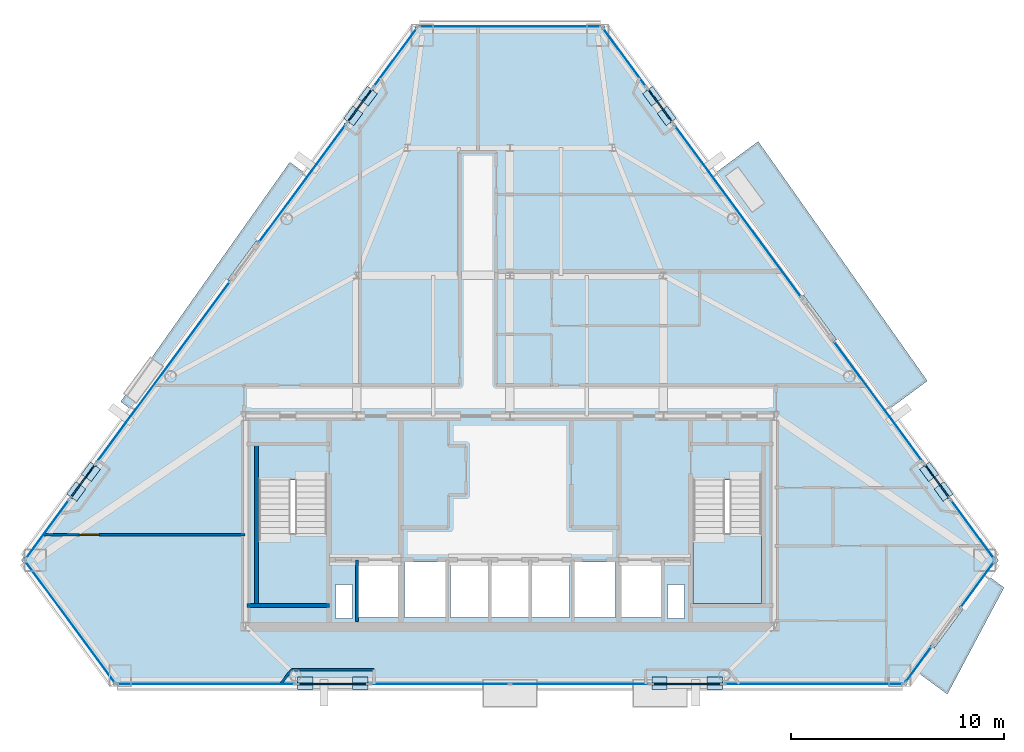
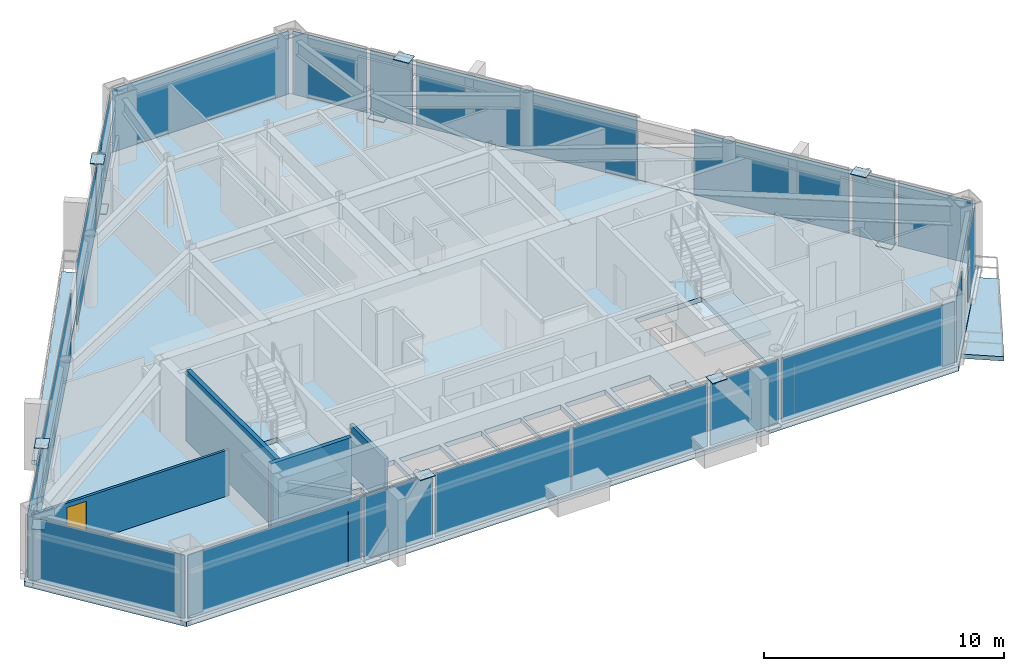
# One storey, part 6 of 11: 34 plates, 6 slabs, 6 walls, 1 door, 1 opening, 23 elements without a shape of their own.
"""IFC4 building model written with IfcOpenShell, lengths in metres."""

from ifc_helpers import new_model, si_unit, direction, frame, frame_2d, origin, origin_2d, place, context, subcontext, project, spatial, polyline, rectangle, outline, extrude, source, transform, mapped, material, layer, layer_set, type_object, type_shapes, element, fill, aggregate, save


model = new_model("IFC4")

# Units and contexts
model_context = context("Model", 3, precision=1e-05, world=origin(), true_north=direction((0.0, 1.0)))
body_context = subcontext(model_context, "Body", "Model", "MODEL_VIEW")
ifc_project = project(units=[si_unit("LENGTHUNIT", "METRE"), si_unit("AREAUNIT", "SQUARE_METRE"), si_unit("VOLUMEUNIT", "CUBIC_METRE"), si_unit("PLANEANGLEUNIT", "RADIAN"), si_unit("MASSUNIT", "GRAM", prefix="KILO")], contexts=[model_context])

# Site, building, storey
site_placement = place(None, origin())
site = spatial("IfcSite", under=ifc_project, at=site_placement, CompositionType="ELEMENT")
building_placement = place(site_placement, origin())
building = spatial("IfcBuilding", under=site, at=building_placement, Name="Talgorran Terracotta Tower", CompositionType="ELEMENT")
storey_placement = place(building_placement, frame((0.0, 0.0, 178.5)))
storey = spatial("IfcBuildingStorey", under=building, at=storey_placement, Name="L46", CompositionType="ELEMENT", Elevation=178.5)

# Plates
ifc_material_1 = material(Name="Steel Grade 350 (350L0)", Category="steel")
ifc_layer_1 = layer(ifc_material_1, 0.031982421875, Name="PL_CAP_MN07")
ifc_layer_set_1 = layer_set([ifc_layer_1], Name="Steel Grade 350 (350L0)")
plate_type_1 = type_object("IfcPlateType", Name="PL_CAP_MN07", PredefinedType="USERDEFINED", material=ifc_layer_set_1)
for number, where, z_axis, x_axis, name in (
    (1, (-9.61083984375, -16.74560546875, -0.005859375), (0.0, 0.0, 1.0), (1.0, 0.0, 0.0), "L46 Diagonal Frame End Cap SWF Bot"),
    (2, (-7.0234375, -16.74560546875, 3.32421875), (0.0, 0.0, 1.0), (1.0, 0.0, 0.0), "L46 Diagonal Frame End Cap SWF Top"),
    (3, (9.61083984375, -16.74560546875, -0.005859375), (0.0, 0.0, 1.0), (-1.0, 0.0, 0.0), "L46 Diagonal Frame End Cap SEF Bot"),
    (4, (7.023193359375, -16.74560546875, 3.32421875), (0.0, 0.0, 1.0), (-1.0, 0.0, 0.0), "L46 Diagonal Frame End Cap SEF Top"),
    (5, (20.36181640625, -7.743408203125, -0.005859375), (0.0, 0.0, 1.0), (-0.593559358034, 0.804790213963, 0.0), "L46 Diagonal Frame End Cap NEL Bot"),
    (6, (19.67919921875, -6.818115234375, 3.32421875), (0.0, 0.0, 1.0), (-0.593559358034, 0.804790213963, 0.0), "L46 Diagonal Frame End Cap NEL Top"),
    (7, (6.67529296875, 10.81689453125, -0.005859375), (0.0, 0.0, 1.0), (0.593559358034, -0.804790213963, 0.0), "L46 Diagonal Frame End Cap NEU Bot"),
    (8, (7.35791015625, 9.891357421875, 3.32421875), (0.0, 0.0, 1.0), (0.593559358034, -0.804790213963, 0.0), "L46 Diagonal Frame End Cap NEU Top"),
    (9, (-6.67529296875, 10.81689453125, -0.005859375), (0.0, 0.0, 1.0), (-0.593559358034, -0.804790213963, 0.0), "L46 Diagonal Frame End Cap NWU Bot"),
    (10, (-7.35791015625, 9.891357421875, 3.32421875), (0.0, 0.0, 1.0), (-0.593559358034, -0.804790213963, 0.0), "L46 Diagonal Frame End Cap NWU Top"),
    (11, (-20.36181640625, -7.743408203125, -0.005859375), (0.0, 0.0, 1.0), (0.593559358034, 0.804790213963, 0.0), "L46 Diagonal Frame End Cap NWL Bot"),
    (12, (-19.67919921875, -6.818115234375, 3.32421875), (0.0, 0.0, 1.0), (0.593559358034, 0.804790213963, 0.0), "L46 Diagonal Frame End Cap NWL Top"),
):
    element("IfcPlate", number, at=place(storey_placement, frame(where, z_axis=z_axis, x_axis=x_axis)), inside=storey, type_object=plate_type_1, Name=name, ObjectType="CAP PLATE", PredefinedType="USERDEFINED", context=body_context, shape_type="SweptSolid", body=[
        extrude(rectangle(XDim=0.719970703125, YDim=0.580078125, at=origin_2d()), origin(), (0.0, 0.0, 1.0), 0.031982421875),
    ])

# Slabs
ifc_material_2 = material(Name="Concrete C40/50", Category="concrete")
ifc_layer_2 = layer(ifc_material_2, 0.219970703125, Name="SL_BALCONY_220")
ifc_layer_set_2 = layer_set([ifc_layer_2], Name="Concrete C40/50")
slab_type_1 = type_object("IfcSlabType", Name="SL_BALCONY_220", PredefinedType="FLOOR", material=ifc_layer_set_2)
slab_1_placement = place(storey_placement, frame((0.0, 0.0, -0.219970703125)))
element("IfcSlab", 13, at=slab_1_placement, inside=storey, type_object=slab_type_1, Name="L46 Outdoor Wave Balcony BAL-NE", PredefinedType="FLOOR", context=body_context, shape_type="SweptSolid", body=[
    extrude(outline(polyline([(9.58642578125, 7.163818359375), (17.75439453125, -3.91259765625), (19.59521484375, -2.55517578125), (11.655029296875, 8.689208984375), (9.58642578125, 7.163818359375)])), origin(), (0.0, 0.0, 1.0), 0.219970703125),
])
slab_2_placement = place(storey_placement, frame((0.0, 0.0, -0.219970703125)))
element("IfcSlab", 14, at=slab_2_placement, inside=storey, type_object=slab_type_1, Name="L46 Outdoor Wave Balcony BAL-NW", PredefinedType="FLOOR", context=body_context, shape_type="SweptSolid", body=[
    extrude(outline(polyline([(-17.75439453125, -3.91259765625), (-9.58642578125, 7.163818359375), (-10.337158203125, 7.71728515625), (-18.27734375, -3.527099609375), (-17.75439453125, -3.91259765625)])), origin(), (0.0, 0.0, 1.0), 0.219970703125),
])
slab_3_placement = place(storey_placement, frame((0.0, 0.0, -0.219970703125)))
element("IfcSlab", 15, at=slab_3_placement, inside=storey, type_object=slab_type_1, Name="L46 Outdoor Wave Balcony BAL-SE", PredefinedType="FLOOR", context=body_context, shape_type="SweptSolid", body=[
    extrude(outline(polyline([(22.427001953125, -11.69140625), (19.1005859375, -16.202392578125), (20.53564453125, -17.260498046875), (23.19677734375, -12.259033203125), (22.427001953125, -11.69140625)])), origin(), (0.0, 0.0, 1.0), 0.219970703125),
])

# Stair, slab
stair_type = type_object("IfcStairType", Name="ST_FIRE_SCISSOR", PredefinedType="HALF_TURN_STAIR", material=ifc_material_2)
stair_1_placement = place(storey_placement, origin())
stair_1 = element("IfcStair", 16, at=stair_1_placement, inside=storey, type_object=stair_type, Name="L46 West Protected Fire Stair ST-01", PredefinedType="HALF_TURN_STAIR")
ifc_layer_3 = layer(ifc_material_2, 0.199951171875, Name="SL_LANDING_200")
ifc_layer_set_3 = layer_set([ifc_layer_3], Name="Concrete C40/50")
slab_type_2 = type_object("IfcSlabType", Name="SL_LANDING_200", PredefinedType="LANDING", material=ifc_layer_set_3)
slab_4_placement = place(storey_placement, frame((0.0, 0.0, 1.60009765625)))
slab_4 = element("IfcSlab", 17, at=slab_4_placement, type_object=slab_type_2, Name="ST-01 landing 1", PredefinedType="LANDING", context=body_context, shape_type="SweptSolid", body=[
    extrude(outline(polyline([(-11.800048828125, -9.719970703125), (-11.800048828125, -13.0), (-8.60009765625, -13.0), (-8.60009765625, -9.719970703125), (-11.800048828125, -9.719970703125)])), origin(), (0.0, 0.0, 1.0), 0.199951171875),
])
aggregate(stair_1, [slab_4])

stair_2_placement = place(storey_placement, origin())
stair_2 = element("IfcStair", 18, at=stair_2_placement, inside=storey, type_object=stair_type, Name="L46 East Protected Fire Stair ST-02", PredefinedType="HALF_TURN_STAIR")
slab_5_placement = place(storey_placement, frame((0.0, 0.0, 1.60009765625)))
slab_5 = element("IfcSlab", 19, at=slab_5_placement, type_object=slab_type_2, Name="ST-02 landing 1", PredefinedType="LANDING", context=body_context, shape_type="SweptSolid", body=[
    extrude(outline(polyline([(8.60009765625, -9.719970703125), (8.60009765625, -13.0), (11.800048828125, -13.0), (11.800048828125, -9.719970703125), (8.60009765625, -9.719970703125)])), origin(), (0.0, 0.0, 1.0), 0.199951171875),
])
aggregate(stair_2, [slab_5])

# Slab
ifc_layer_4 = layer(ifc_material_2, 0.25, Name="SL_TOWER_250")
ifc_layer_set_4 = layer_set([ifc_layer_4], Name="Concrete C40/50")
slab_type_3 = type_object("IfcSlabType", Name="SL_TOWER_250", PredefinedType="FLOOR", material=ifc_layer_set_4)
slab_6_placement = place(storey_placement, frame((0.0, 0.0, -0.25)))
element("IfcSlab", 20, at=slab_6_placement, inside=storey, type_object=slab_type_3, Name="Storey L46 Structural Floor Slab", PredefinedType="FLOOR", context=body_context, shape_type="SweptSolid", body=[
    extrude(outline(polyline([(-22.93994140625, -10.97021484375), (-18.563232421875, -16.905517578125), (18.563232421875, -16.905517578125), (22.93994140625, -10.97021484375), (4.376708984375, 14.20361328125), (-4.376708984375, 14.20361328125), (-22.93994140625, -10.97021484375)]), holes=[polyline([(-11.800048828125, -7.199951171875), (-11.800048828125, -13.0), (-8.60009765625, -13.0), (-8.60009765625, -7.199951171875), (-11.800048828125, -7.199951171875)]), polyline([(8.60009765625, -7.199951171875), (8.60009765625, -13.0), (11.800048828125, -13.0), (11.800048828125, -7.199951171875), (8.60009765625, -7.199951171875)]), polyline([(-7.10009765625, -13.64990234375), (-5.199951171875, -13.64990234375), (-5.199951171875, -11.050048828125), (-7.10009765625, -11.050048828125), (-7.10009765625, -13.64990234375)]), polyline([(5.199951171875, -13.64990234375), (7.10009765625, -13.64990234375), (7.10009765625, -11.050048828125), (5.199951171875, -11.050048828125), (5.199951171875, -13.64990234375)]), polyline([(3.0, -13.64990234375), (4.949951171875, -13.64990234375), (4.949951171875, -11.050048828125), (3.0, -11.050048828125), (3.0, -13.64990234375)]), polyline([(-4.949951171875, -13.64990234375), (-3.0, -13.64990234375), (-3.0, -11.050048828125), (-4.949951171875, -11.050048828125), (-4.949951171875, -13.64990234375)]), polyline([(-2.800048828125, -13.64990234375), (-1.0, -13.64990234375), (-1.0, -11.050048828125), (-2.800048828125, -11.050048828125), (-2.800048828125, -13.64990234375)]), polyline([(-0.89990234375, -13.64990234375), (0.89990234375, -13.64990234375), (0.89990234375, -11.050048828125), (-0.89990234375, -11.050048828125), (-0.89990234375, -13.64990234375)]), polyline([(1.0, -13.64990234375), (2.800048828125, -13.64990234375), (2.800048828125, -11.050048828125), (1.0, -11.050048828125), (1.0, -13.64990234375)]), polyline([(-8.199951171875, -13.699951171875), (-7.39990234375, -13.699951171875), (-7.39990234375, -12.10009765625), (-8.199951171875, -12.10009765625), (-8.199951171875, -13.699951171875)]), polyline([(7.39990234375, -13.699951171875), (8.199951171875, -13.699951171875), (8.199951171875, -12.10009765625), (7.39990234375, -12.10009765625), (7.39990234375, -13.699951171875)])]), origin(), (0.0, 0.0, 1.0), 0.25),
])

# Curtain wall, plate
ifc_material_3 = material(Name="High-Wind Unitised Glazing", Category="glass")
ifc_layer_5 = layer(ifc_material_3, 0.2099609375, Name="CW_SYS3_RES_HIGH")
ifc_layer_set_5 = layer_set([ifc_layer_5], Name="High-Wind Unitised Glazing")
curtain_wall_type = type_object("IfcCurtainWallType", Name="CW_SYS3_RES_HIGH", PredefinedType="NOTDEFINED", material=ifc_layer_set_5)
curtain_wall_1_placement = place(storey_placement, origin())
curtain_wall_1 = element("IfcCurtainWall", 21, at=curtain_wall_1_placement, inside=storey, type_object=curtain_wall_type, Name="CW-L46-F0", PredefinedType="NOTDEFINED")
ifc_material_4 = material(Name="High-Wind Acoustic Vision Glass", Category="glass")
ifc_layer_6 = layer(ifc_material_4, 0.031982421875, Name="PLT_VISION_32")
ifc_layer_set_6 = layer_set([ifc_layer_6], Name="High-Wind Acoustic Vision Glass")
plate_type_2 = type_object("IfcPlateType", Name="PLT_VISION_32", PredefinedType="CURTAIN_PANEL", material=ifc_layer_set_6)
shared_shape_1 = source(origin(), body_context, "Body", "SweptSolid", [
    extrude(rectangle(XDim=7.08544921875, YDim=0.031982421875, at=origin_2d()), origin(), (0.0, 0.0, 1.0), 3.2099609375),
])
plate_1_placement = place(storey_placement, frame((-20.646728515625, -13.8779296875, 0.070068359375), z_axis=(0.0, 0.0, 1.0), x_axis=(0.593489814714, -0.804841499819, 0.0)))
plate_1 = element("IfcPlate", 22, at=plate_1_placement, type_object=plate_type_2, Name="CW-L46-0 panel 1.1", PredefinedType="CURTAIN_PANEL", context=body_context, shape_type="MappedRepresentation", body=[
    mapped(shared_shape_1, transform((0.0, 0.0, 0.0), scale=1.0)),
])
aggregate(curtain_wall_1, [plate_1])

curtain_wall_2_placement = place(storey_placement, origin())
curtain_wall_2 = element("IfcCurtainWall", 23, at=curtain_wall_2_placement, inside=storey, type_object=curtain_wall_type, Name="CW-L46-F1", PredefinedType="NOTDEFINED")
shared_shape_2 = source(origin(), body_context, "Body", "SweptSolid", [
    extrude(rectangle(XDim=8.334228515625, YDim=0.031982421875, at=origin_2d()), origin(), (0.0, 0.0, 1.0), 3.2099609375),
])
plate_2_placement = place(storey_placement, frame((-14.265625, -16.78564453125, 0.070068359375), z_axis=(0.0, 0.0, 1.0), x_axis=(1.0, 0.0, 0.0)))
plate_2 = element("IfcPlate", 24, at=plate_2_placement, type_object=plate_type_2, Name="CW-L46-1 panel 1.1", PredefinedType="CURTAIN_PANEL", context=body_context, shape_type="MappedRepresentation", body=[
    mapped(shared_shape_2, transform((0.0, 0.0, 0.0), scale=1.0)),
])
aggregate(curtain_wall_2, [plate_2])

curtain_wall_3_placement = place(storey_placement, origin())
curtain_wall_3 = element("IfcCurtainWall", 25, at=curtain_wall_3_placement, inside=storey, type_object=curtain_wall_type, Name="CW-L46-F1E", PredefinedType="NOTDEFINED")
plate_3_placement = place(storey_placement, frame((14.265625, -16.78564453125, 0.070068359375), z_axis=(0.0, 0.0, 1.0), x_axis=(1.0, 0.0, 0.0)))
plate_3 = element("IfcPlate", 26, at=plate_3_placement, type_object=plate_type_2, Name="CW-L46-1E panel 1.1", PredefinedType="CURTAIN_PANEL", context=body_context, shape_type="MappedRepresentation", body=[
    mapped(shared_shape_2, transform((0.0, 0.0, 0.0), scale=1.0)),
])
aggregate(curtain_wall_3, [plate_3])

curtain_wall_4_placement = place(storey_placement, origin())
curtain_wall_4 = element("IfcCurtainWall", 27, at=curtain_wall_4_placement, inside=storey, type_object=curtain_wall_type, Name="CW-L46-F1B", PredefinedType="NOTDEFINED")
ifc_material_5 = material(Name="Terracotta Insulated Spandrel", Category="masonry")
ifc_layer_7 = layer(ifc_material_5, 0.06494140625, Name="PLT_SPANDREL_TERRA")
ifc_layer_set_7 = layer_set([ifc_layer_7], Name="Terracotta Insulated Spandrel")
plate_type_3 = type_object("IfcPlateType", Name="PLT_SPANDREL_TERRA", PredefinedType="SHEET", material=ifc_layer_set_7)
shared_shape_3 = source(origin(), body_context, "Body", "SweptSolid", [
    extrude(rectangle(XDim=3.2626953125, YDim=0.06494140625, at=origin_2d()), origin(), (0.0, 0.0, 1.0), 3.2099609375),
])
plate_4_placement = place(storey_placement, frame((-8.317138671875, -16.78564453125, 0.070068359375), z_axis=(0.0, 0.0, 1.0), x_axis=(1.0, 0.0, 0.0)))
plate_4 = element("IfcPlate", 28, at=plate_4_placement, type_object=plate_type_3, Name="CW-L46-1B panel 1.1", PredefinedType="CURTAIN_PANEL", context=body_context, shape_type="MappedRepresentation", body=[
    mapped(shared_shape_3, transform((0.0, 0.0, 0.0), scale=1.0)),
])
aggregate(curtain_wall_4, [plate_4])

curtain_wall_5_placement = place(storey_placement, origin())
curtain_wall_5 = element("IfcCurtainWall", 29, at=curtain_wall_5_placement, inside=storey, type_object=curtain_wall_type, Name="CW-L46-F1D", PredefinedType="NOTDEFINED")
plate_5_placement = place(storey_placement, frame((8.317138671875, -16.78564453125, 0.070068359375), z_axis=(0.0, 0.0, 1.0), x_axis=(1.0, 0.0, 0.0)))
plate_5 = element("IfcPlate", 30, at=plate_5_placement, type_object=plate_type_3, Name="CW-L46-1D panel 1.1", PredefinedType="CURTAIN_PANEL", context=body_context, shape_type="MappedRepresentation", body=[
    mapped(shared_shape_3, transform((0.0, 0.0, 0.0), scale=1.0)),
])
aggregate(curtain_wall_5, [plate_5])

# Curtain wall, plates
curtain_wall_6_placement = place(storey_placement, origin())
curtain_wall_6 = element("IfcCurtainWall", 31, at=curtain_wall_6_placement, inside=storey, type_object=curtain_wall_type, Name="CW-L46-F1C", PredefinedType="NOTDEFINED")
shared_shape_4 = source(origin(), body_context, "Body", "SweptSolid", [
    extrude(rectangle(XDim=6.500732421875, YDim=0.031982421875, at=origin_2d()), origin(), (0.0, 0.0, 1.0), 3.2099609375),
])
plate_6_placement = place(storey_placement, frame((-3.285400390625, -16.78564453125, 0.070068359375), z_axis=(0.0, 0.0, 1.0), x_axis=(1.0, 0.0, 0.0)))
plate_6 = element("IfcPlate", 32, at=plate_6_placement, type_object=plate_type_2, Name="CW-L46-1C panel 1.1", PredefinedType="CURTAIN_PANEL", context=body_context, shape_type="MappedRepresentation", body=[
    mapped(shared_shape_4, transform((0.0, 0.0, 0.0), scale=1.0)),
])
plate_7_placement = place(storey_placement, frame((3.285400390625, -16.78564453125, 0.070068359375), z_axis=(0.0, 0.0, 1.0), x_axis=(1.0, 0.0, 0.0)))
plate_7 = element("IfcPlate", 33, at=plate_7_placement, type_object=plate_type_2, Name="CW-L46-1C panel 2.1", PredefinedType="CURTAIN_PANEL", context=body_context, shape_type="MappedRepresentation", body=[
    mapped(shared_shape_4, transform((0.0, 0.0, 0.0), scale=1.0)),
])
aggregate(curtain_wall_6, [plate_6, plate_7])

# Curtain wall, plate
curtain_wall_7_placement = place(storey_placement, origin())
curtain_wall_7 = element("IfcCurtainWall", 34, at=curtain_wall_7_placement, inside=storey, type_object=curtain_wall_type, Name="CW-L46-F30", PredefinedType="NOTDEFINED")
shared_shape_5 = source(origin(), body_context, "Body", "SweptSolid", [
    extrude(rectangle(XDim=2.06982421875, YDim=0.031982421875, at=origin_2d()), origin(), (0.0, 0.0, 1.0), 3.2099609375),
])
plate_8_placement = place(storey_placement, frame((19.18212890625, -15.864013671875, 0.070068359375), z_axis=(0.0, 0.0, 1.0), x_axis=(0.593507706332, 0.804828306239, 0.0)))
plate_8 = element("IfcPlate", 35, at=plate_8_placement, type_object=plate_type_2, Name="CW-L46-30 panel 1.1", PredefinedType="CURTAIN_PANEL", context=body_context, shape_type="MappedRepresentation", body=[
    mapped(shared_shape_5, transform((0.0, 0.0, 0.0), scale=1.0)),
])
aggregate(curtain_wall_7, [plate_8])

curtain_wall_8_placement = place(storey_placement, origin())
curtain_wall_8 = element("IfcCurtainWall", 36, at=curtain_wall_8_placement, inside=storey, type_object=curtain_wall_type, Name="CW-L46-F31", PredefinedType="NOTDEFINED")
shared_shape_6 = source(origin(), body_context, "Body", "SweptSolid", [
    extrude(rectangle(XDim=2.635498046875, YDim=0.031982421875, at=origin_2d()), origin(), (0.0, 0.0, 1.0), 3.2099609375),
])
plate_9_placement = place(storey_placement, frame((21.943603515625, -12.119384765625, 0.070068359375), z_axis=(0.0, 0.0, 1.0), x_axis=(0.593512390712, 0.804824851798, 0.0)))
plate_9 = element("IfcPlate", 37, at=plate_9_placement, type_object=plate_type_2, Name="CW-L46-31 panel 1.1", PredefinedType="CURTAIN_PANEL", context=body_context, shape_type="MappedRepresentation", body=[
    mapped(shared_shape_6, transform((0.0, 0.0, 0.0), scale=1.0)),
])
aggregate(curtain_wall_8, [plate_9])

curtain_wall_9_placement = place(storey_placement, origin())
curtain_wall_9 = element("IfcCurtainWall", 38, at=curtain_wall_9_placement, inside=storey, type_object=curtain_wall_type, Name="CW-L46-F40", PredefinedType="NOTDEFINED")
shared_shape_7 = source(origin(), body_context, "Body", "SweptSolid", [
    extrude(rectangle(XDim=3.39111328125, YDim=0.031982421875, at=origin_2d()), origin(), (0.0, 0.0, 1.0), 3.2099609375),
])
plate_10_placement = place(storey_placement, frame((21.71923828125, -9.51708984375, 0.070068359375), z_axis=(0.0, 0.0, 1.0), x_axis=(-0.59349170144, 0.804840108545, 0.0)))
plate_10 = element("IfcPlate", 39, at=plate_10_placement, type_object=plate_type_2, Name="CW-L46-40 panel 1.1", PredefinedType="CURTAIN_PANEL", context=body_context, shape_type="MappedRepresentation", body=[
    mapped(shared_shape_7, transform((0.0, 0.0, 0.0), scale=1.0)),
])
aggregate(curtain_wall_9, [plate_10])

curtain_wall_10_placement = place(storey_placement, origin())
curtain_wall_10 = element("IfcCurtainWall", 40, at=curtain_wall_10_placement, inside=storey, type_object=curtain_wall_type, Name="CW-L46-F61C", PredefinedType="NOTDEFINED")
plate_11_placement = place(storey_placement, frame((-21.71923828125, -9.51708984375, 0.070068359375), z_axis=(0.0, 0.0, 1.0), x_axis=(-0.59349170144, -0.804840108545, 0.0)))
plate_11 = element("IfcPlate", 41, at=plate_11_placement, type_object=plate_type_2, Name="CW-L46-61C panel 1.1", PredefinedType="CURTAIN_PANEL", context=body_context, shape_type="MappedRepresentation", body=[
    mapped(shared_shape_7, transform((0.0, 0.0, 0.0), scale=1.0)),
])
aggregate(curtain_wall_10, [plate_11])

curtain_wall_11_placement = place(storey_placement, origin())
curtain_wall_11 = element("IfcCurtainWall", 42, at=curtain_wall_11_placement, inside=storey, type_object=curtain_wall_type, Name="CW-L46-F40B", PredefinedType="NOTDEFINED")
shared_shape_8 = source(origin(), body_context, "Body", "SweptSolid", [
    extrude(rectangle(XDim=1.925048828125, YDim=0.06494140625, at=origin_2d()), origin(), (0.0, 0.0, 1.0), 3.2099609375),
])
plate_12_placement = place(storey_placement, frame((20.052734375, -7.257080078125, 0.070068359375), z_axis=(0.0, 0.0, 1.0), x_axis=(-0.593511173341, 0.804825749538, 0.0)))
plate_12 = element("IfcPlate", 43, at=plate_12_placement, type_object=plate_type_3, Name="CW-L46-40B panel 1.1", PredefinedType="CURTAIN_PANEL", context=body_context, shape_type="MappedRepresentation", body=[
    mapped(shared_shape_8, transform((0.0, 0.0, 0.0), scale=1.0)),
])
aggregate(curtain_wall_11, [plate_12])

curtain_wall_12_placement = place(storey_placement, origin())
curtain_wall_12 = element("IfcCurtainWall", 44, at=curtain_wall_12_placement, inside=storey, type_object=curtain_wall_type, Name="CW-L46-F41B", PredefinedType="NOTDEFINED")
plate_13_placement = place(storey_placement, frame((7.048828125, 10.377685546875, 0.070068359375), z_axis=(0.0, 0.0, 1.0), x_axis=(-0.593511173341, 0.804825749538, 0.0)))
plate_13 = element("IfcPlate", 45, at=plate_13_placement, type_object=plate_type_3, Name="CW-L46-41B panel 1.1", PredefinedType="CURTAIN_PANEL", context=body_context, shape_type="MappedRepresentation", body=[
    mapped(shared_shape_8, transform((0.0, 0.0, 0.0), scale=1.0)),
])
aggregate(curtain_wall_12, [plate_13])

curtain_wall_13_placement = place(storey_placement, origin())
curtain_wall_13 = element("IfcCurtainWall", 46, at=curtain_wall_13_placement, inside=storey, type_object=curtain_wall_type, Name="CW-L46-F40C", PredefinedType="NOTDEFINED")
shared_shape_9 = source(origin(), body_context, "Body", "SweptSolid", [
    extrude(rectangle(XDim=7.03759765625, YDim=0.031982421875, at=origin_2d()), origin(), (0.0, 0.0, 1.0), 3.2099609375),
])
plate_14_placement = place(storey_placement, frame((17.30419921875, -3.529541015625, 0.070068359375), z_axis=(0.0, 0.0, 1.0), x_axis=(-0.593495556901, 0.804837265501, 0.0)))
plate_14 = element("IfcPlate", 47, at=plate_14_placement, type_object=plate_type_2, Name="CW-L46-40C panel 1.1", PredefinedType="CURTAIN_PANEL", context=body_context, shape_type="MappedRepresentation", body=[
    mapped(shared_shape_9, transform((0.0, 0.0, 0.0), scale=1.0)),
])
aggregate(curtain_wall_13, [plate_14])

curtain_wall_14_placement = place(storey_placement, origin())
curtain_wall_14 = element("IfcCurtainWall", 48, at=curtain_wall_14_placement, inside=storey, type_object=curtain_wall_type, Name="CW-L46-F41", PredefinedType="NOTDEFINED")
shared_shape_10 = source(origin(), body_context, "Body", "SweptSolid", [
    extrude(rectangle(XDim=10.04833984375, YDim=0.031982421875, at=origin_2d()), origin(), (0.0, 0.0, 1.0), 3.2099609375),
])
plate_15_placement = place(storey_placement, frame((10.69091796875, 5.438720703125, 0.070068359375), z_axis=(0.0, 0.0, 1.0), x_axis=(-0.593491285336, 0.804840415381, 0.0)))
plate_15 = element("IfcPlate", 49, at=plate_15_placement, type_object=plate_type_2, Name="CW-L46-41 panel 1.1", PredefinedType="CURTAIN_PANEL", context=body_context, shape_type="MappedRepresentation", body=[
    mapped(shared_shape_10, transform((0.0, 0.0, 0.0), scale=1.0)),
])
aggregate(curtain_wall_14, [plate_15])

curtain_wall_15_placement = place(storey_placement, origin())
curtain_wall_15 = element("IfcCurtainWall", 50, at=curtain_wall_15_placement, inside=storey, type_object=curtain_wall_type, Name="CW-L46-F41C", PredefinedType="NOTDEFINED")
shared_shape_11 = source(origin(), body_context, "Body", "SweptSolid", [
    extrude(rectangle(XDim=3.3818359375, YDim=0.031982421875, at=origin_2d()), origin(), (0.0, 0.0, 1.0), 3.2099609375),
])
plate_16_placement = place(storey_placement, frame((5.385009765625, 12.634033203125, 0.070068359375), z_axis=(0.0, 0.0, 1.0), x_axis=(-0.593497315718, 0.804835968528, 0.0)))
plate_16 = element("IfcPlate", 51, at=plate_16_placement, type_object=plate_type_2, Name="CW-L46-41C panel 1.1", PredefinedType="CURTAIN_PANEL", context=body_context, shape_type="MappedRepresentation", body=[
    mapped(shared_shape_11, transform((0.0, 0.0, 0.0), scale=1.0)),
])
aggregate(curtain_wall_15, [plate_16])

curtain_wall_16_placement = place(storey_placement, origin())
curtain_wall_16 = element("IfcCurtainWall", 52, at=curtain_wall_16_placement, inside=storey, type_object=curtain_wall_type, Name="CW-L46-F60", PredefinedType="NOTDEFINED")
plate_17_placement = place(storey_placement, frame((-5.385009765625, 12.634033203125, 0.070068359375), z_axis=(0.0, 0.0, 1.0), x_axis=(-0.593497315718, -0.804835968528, 0.0)))
plate_17 = element("IfcPlate", 53, at=plate_17_placement, type_object=plate_type_2, Name="CW-L46-60 panel 1.1", PredefinedType="CURTAIN_PANEL", context=body_context, shape_type="MappedRepresentation", body=[
    mapped(shared_shape_11, transform((0.0, 0.0, 0.0), scale=1.0)),
])
aggregate(curtain_wall_16, [plate_17])

curtain_wall_17_placement = place(storey_placement, origin())
curtain_wall_17 = element("IfcCurtainWall", 54, at=curtain_wall_17_placement, inside=storey, type_object=curtain_wall_type, Name="CW-L46-F4", PredefinedType="NOTDEFINED")
shared_shape_12 = source(origin(), body_context, "Body", "SweptSolid", [
    extrude(rectangle(XDim=8.4921875, YDim=0.031982421875, at=origin_2d()), origin(), (0.0, 0.0, 1.0), 3.2099609375),
])
plate_18_placement = place(storey_placement, frame((0.0, 14.08349609375, 0.070068359375), z_axis=(0.0, 0.0, 1.0), x_axis=(-1.0, 0.0, 0.0)))
plate_18 = element("IfcPlate", 55, at=plate_18_placement, type_object=plate_type_2, Name="CW-L46-4 panel 1.1", PredefinedType="CURTAIN_PANEL", context=body_context, shape_type="MappedRepresentation", body=[
    mapped(shared_shape_12, transform((0.0, 0.0, 0.0), scale=1.0)),
])
aggregate(curtain_wall_17, [plate_18])

curtain_wall_18_placement = place(storey_placement, origin())
curtain_wall_18 = element("IfcCurtainWall", 56, at=curtain_wall_18_placement, inside=storey, type_object=curtain_wall_type, Name="CW-L46-F60B", PredefinedType="NOTDEFINED")
shared_shape_13 = source(origin(), body_context, "Body", "SweptSolid", [
    extrude(rectangle(XDim=1.92529296875, YDim=0.06494140625, at=origin_2d()), origin(), (0.0, 0.0, 1.0), 3.2099609375),
])
type_shapes(plate_type_3, [shared_shape_3, shared_shape_8, shared_shape_13])
plate_19_placement = place(storey_placement, frame((-7.048828125, 10.377685546875, 0.070068359375), z_axis=(0.0, 0.0, 1.0), x_axis=(-0.593488044001, -0.804842805539, 0.0)))
plate_19 = element("IfcPlate", 57, at=plate_19_placement, type_object=plate_type_3, Name="CW-L46-60B panel 1.1", PredefinedType="CURTAIN_PANEL", context=body_context, shape_type="MappedRepresentation", body=[
    mapped(shared_shape_13, transform((0.0, 0.0, 0.0), scale=1.0)),
])
aggregate(curtain_wall_18, [plate_19])

curtain_wall_19_placement = place(storey_placement, origin())
curtain_wall_19 = element("IfcCurtainWall", 58, at=curtain_wall_19_placement, inside=storey, type_object=curtain_wall_type, Name="CW-L46-F61B", PredefinedType="NOTDEFINED")
plate_20_placement = place(storey_placement, frame((-20.052734375, -7.257080078125, 0.070068359375), z_axis=(0.0, 0.0, 1.0), x_axis=(-0.593488044001, -0.804842805539, 0.0)))
plate_20 = element("IfcPlate", 59, at=plate_20_placement, type_object=plate_type_3, Name="CW-L46-61B panel 1.1", PredefinedType="CURTAIN_PANEL", context=body_context, shape_type="MappedRepresentation", body=[
    mapped(shared_shape_13, transform((0.0, 0.0, 0.0), scale=1.0)),
])
aggregate(curtain_wall_19, [plate_20])

curtain_wall_20_placement = place(storey_placement, origin())
curtain_wall_20 = element("IfcCurtainWall", 60, at=curtain_wall_20_placement, inside=storey, type_object=curtain_wall_type, Name="CW-L46-F60C", PredefinedType="NOTDEFINED")
shared_shape_14 = source(origin(), body_context, "Body", "SweptSolid", [
    extrude(rectangle(XDim=6.857666015625, YDim=0.031982421875, at=origin_2d()), origin(), (0.0, 0.0, 1.0), 3.2099609375),
])
plate_21_placement = place(storey_placement, frame((-9.744140625, 6.72265625, 0.070068359375), z_axis=(0.0, 0.0, 1.0), x_axis=(-0.593495864096, -0.804837038972, 0.0)))
plate_21 = element("IfcPlate", 61, at=plate_21_placement, type_object=plate_type_2, Name="CW-L46-60C panel 1.1", PredefinedType="CURTAIN_PANEL", context=body_context, shape_type="MappedRepresentation", body=[
    mapped(shared_shape_14, transform((0.0, 0.0, 0.0), scale=1.0)),
])
aggregate(curtain_wall_20, [plate_21])

curtain_wall_21_placement = place(storey_placement, origin())
curtain_wall_21 = element("IfcCurtainWall", 62, at=curtain_wall_21_placement, inside=storey, type_object=curtain_wall_type, Name="CW-L46-F61", PredefinedType="NOTDEFINED")
shared_shape_15 = source(origin(), body_context, "Body", "SweptSolid", [
    extrude(rectangle(XDim=10.5283203125, YDim=0.031982421875, at=origin_2d()), origin(), (0.0, 0.0, 1.0), 3.2099609375),
])
type_shapes(plate_type_2, [shared_shape_1, shared_shape_2, shared_shape_4, shared_shape_5, shared_shape_6, shared_shape_7, shared_shape_9, shared_shape_10, shared_shape_11, shared_shape_12, shared_shape_14, shared_shape_15])
plate_22_placement = place(storey_placement, frame((-16.268310546875, -2.124755859375, 0.070068359375), z_axis=(0.0, 0.0, 1.0), x_axis=(-0.593492206939, -0.804839735788, 0.0)))
plate_22 = element("IfcPlate", 63, at=plate_22_placement, type_object=plate_type_2, Name="CW-L46-61 panel 1.1", PredefinedType="CURTAIN_PANEL", context=body_context, shape_type="MappedRepresentation", body=[
    mapped(shared_shape_15, transform((0.0, 0.0, 0.0), scale=1.0)),
])
aggregate(curtain_wall_21, [plate_22])

# Walls
ifc_material_6 = material(Name="Concrete C50/60", Category="concrete")
ifc_layer_8 = layer(ifc_material_6, 0.199951171875, Name="WT_CORE_200")
ifc_layer_set_8 = layer_set([ifc_layer_8], Name="Concrete C50/60")
wall_type_1 = type_object("IfcWallType", Name="WT_CORE_200", PredefinedType="SOLIDWALL", material=ifc_layer_set_8)
wall_1_placement = place(storey_placement, frame((-12.35009765625, -13.10009765625, 0.0), z_axis=(0.0, 0.0, 1.0), x_axis=(1.0, 0.0, 0.0)))
element("IfcWall", 64, at=wall_1_placement, inside=storey, type_object=wall_type_1, Name="WL-L46-CW-ST1-S", PredefinedType="SOLIDWALL", context=body_context, shape_type="SweptSolid", body=[
    extrude(rectangle(XDim=3.8701171875, YDim=0.199951171875, at=frame_2d((1.93505859375, 0.0))), origin(), (0.0, 0.0, 1.0), 3.60009765625),
])
wall_2_placement = place(storey_placement, frame((-11.89990234375, -13.10009765625, 0.0), z_axis=(0.0, 0.0, 1.0), x_axis=(0.0, 1.0, 0.0)))
element("IfcWall", 65, at=wall_2_placement, inside=storey, type_object=wall_type_1, Name="WL-L46-CW-ST1-W", PredefinedType="SOLIDWALL", context=body_context, shape_type="SweptSolid", body=[
    extrude(rectangle(XDim=7.580078125, YDim=0.199951171875, at=frame_2d((3.7900390625, 0.0))), origin(), (0.0, 0.0, 1.0), 3.60009765625),
])

# Wall, opening, door
ifc_material_7 = material(Name="Insulated Steel Stud Plasterboard", Category="steel")
ifc_layer_9 = layer(ifc_material_7, 0.1201171875, Name="WT_PART_120")
ifc_layer_set_9 = layer_set([ifc_layer_9], Name="Insulated Steel Stud Plasterboard")
wall_type_2 = type_object("IfcWallType", Name="WT_PART_120", PredefinedType="PARTITIONING", material=ifc_layer_set_9)
wall_3_placement = place(storey_placement, frame((-21.9130859375, -9.780029296875, 0.0), z_axis=(0.0, 0.0, 1.0), x_axis=(1.0, 0.0, 0.0)))
wall_3 = element("IfcWall", 66, at=wall_3_placement, inside=storey, type_object=wall_type_2, Name="WL-L46-W-L46-R37", PredefinedType="PARTITIONING", context=body_context, shape_type="SweptSolid", body=[
    extrude(rectangle(XDim=9.47314453125, YDim=0.1201171875, at=frame_2d((4.736572265625, 0.0))), origin(), (0.0, 0.0, 1.0), 2.324951171875),
])
opening_placement = place(wall_3_placement, frame((1.69873046875, 0.0, 0.0)))
opening = element("IfcOpeningElement", 67, at=opening_placement, cuts=wall_3, Name="Opening DR-L46-R14", PredefinedType="OPENING", context=body_context, shape_type="SweptSolid", body=[
    extrude(rectangle(XDim=0.925921875, YDim=2.10409765625, at=frame_2d((0.4599609375, 1.052001953125))), frame((0.0, 0.070068359375, 0.0), z_axis=(0.0, -1.0, 0.0), x_axis=(1.0, 0.0, 0.0)), (0.0, 0.0, 1.0), 0.14013671875),
])
ifc_material_8 = material(Name="Solid-Core Painted Timber", Category="wood")
door_type = type_object("IfcDoorType", Name="DT_INT_920", OperationType="NOTDEFINED", PredefinedType="DOOR", material=ifc_material_8)
door_placement = place(opening_placement, origin())
door = element("IfcDoor", 68, at=door_placement, inside=storey, type_object=door_type, Name="DR-L46-R14", OperationType="SINGLE_SWING_RIGHT", OverallHeight=2.10009765625, OverallWidth=0.919921875, PredefinedType="DOOR", context=body_context, shape_type="SweptSolid", body=[
    extrude(rectangle(XDim=0.919921875, YDim=2.10009765625, at=frame_2d((0.4599609375, 1.050048828125))), frame((0.0, 0.02490234375, 0.0), z_axis=(0.0, -1.0, 0.0), x_axis=(1.0, 0.0, 0.0)), (0.0, 0.0, 1.0), 0.050048828125),
])
fill(opening, door)

# Walls
wall_4_placement = place(storey_placement, frame((-10.2509765625, -16.105712890625, 0.0), z_axis=(0.0, 0.0, 1.0), x_axis=(1.0, 0.0, 0.0)))
element("IfcWall", 69, at=wall_4_placement, inside=storey, type_object=wall_type_2, Name="WL-L46-BW-L46-06", PredefinedType="PARTITIONING", context=body_context, shape_type="SweptSolid", body=[
    extrude(rectangle(XDim=3.86767578125, YDim=0.1201171875, at=frame_2d((1.933837890625, 0.0))), origin(), (0.0, 0.0, 1.0), 2.7919921875),
])
wall_5_placement = place(storey_placement, frame((-10.75927734375, -16.775634765625, 0.0), z_axis=(0.0, 0.0, 1.0), x_axis=(0.604450021585, 0.796643063991, 0.0)))
element("IfcWall", 70, at=wall_5_placement, inside=storey, type_object=wall_type_2, Name="WL-L46-BW-L46-05", PredefinedType="PARTITIONING", context=body_context, shape_type="SweptSolid", body=[
    extrude(rectangle(XDim=0.8408203125, YDim=0.1201171875, at=frame_2d((0.42041015625, 0.0))), origin(), (0.0, 0.0, 1.0), 2.7919921875),
])
ifc_material_9 = material(Name="Fire-Rated Shaftwall")
ifc_layer_10 = layer(ifc_material_9, 0.159912109375, Name="WT_PART_150")
ifc_layer_set_10 = layer_set([ifc_layer_10], Name="Fire-Rated Shaftwall")
wall_type_3 = type_object("IfcWallType", Name="WT_PART_150", PredefinedType="PARTITIONING", material=ifc_layer_set_10)
wall_6_placement = place(storey_placement, frame((-7.179931640625, -13.85009765625, 0.0), z_axis=(0.0, 0.0, 1.0), x_axis=(0.0, 1.0, 0.0)))
element("IfcWall", 71, at=wall_6_placement, inside=storey, type_object=wall_type_3, Name="WL-L46-CW-RSW", PredefinedType="PARTITIONING", context=body_context, shape_type="SweptSolid", body=[
    extrude(rectangle(XDim=2.900146484375, YDim=0.159912109375, at=frame_2d((1.4501953125, 0.0))), origin(), (0.0, 0.0, 1.0), 2.47509765625),
])

save(model, "model.ifc")
